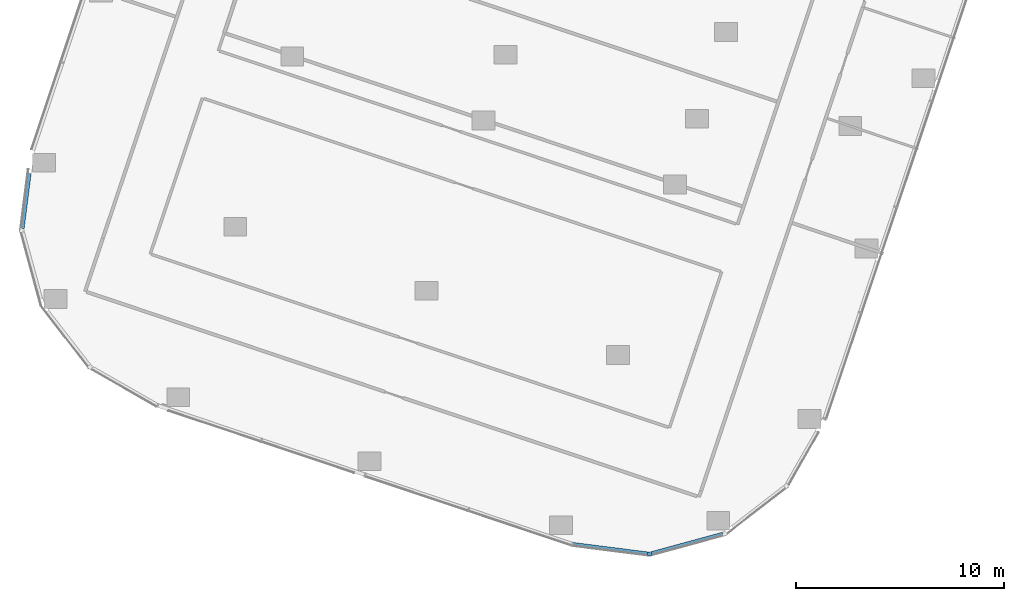
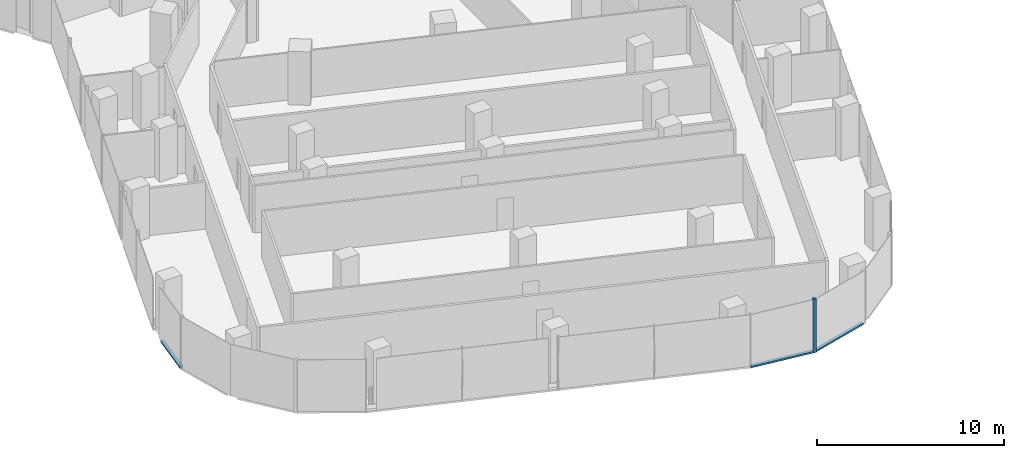
# One storey, part 3 of 32: 4 members, 3 elements without a shape of their own.
"""IFC4 building model written with IfcOpenShell, lengths in metres."""

from ifc_helpers import new_model, si_unit, direction, frame, origin, origin_2d, place, context, subcontext, project, spatial, rectangle, extrude, material, material_profile, profile_set, type_object, element, aggregate, save


model = new_model("IFC4")

# Units and contexts
model_context = context("Model", 3, precision=1e-05, world=origin(), true_north=direction((0.0, 1.0)))
body_context = subcontext(model_context, "Body", "Model", "MODEL_VIEW")
ifc_project = project(units=[si_unit("LENGTHUNIT", "METRE"), si_unit("AREAUNIT", "SQUARE_METRE"), si_unit("VOLUMEUNIT", "CUBIC_METRE"), si_unit("PLANEANGLEUNIT", "RADIAN"), si_unit("MASSUNIT", "GRAM", prefix="KILO")], contexts=[model_context])

# Site, building, storey
site_placement = place(None, origin())
site = spatial("IfcSite", under=ifc_project, at=site_placement, CompositionType="ELEMENT")
building_placement = place(site_placement, origin())
building = spatial("IfcBuilding", under=site, at=building_placement, Name="Orlundy Tower", CompositionType="ELEMENT")
storey_placement = place(building_placement, frame((0.0, 0.0, 152.60009765625)))
storey = spatial("IfcBuildingStorey", under=building, at=storey_placement, Name="L39", CompositionType="ELEMENT", Elevation=152.60009765625)

# Curtain wall, member
ifc_material_1 = material(Name="Aluminium bronze anodised", Category="aluminium")
curtain_wall_type = type_object("IfcCurtainWallType", Name="CW1 wall", PredefinedType="NOTDEFINED", material=ifc_material_1)
curtain_wall_1_placement = place(storey_placement, origin())
curtain_wall_1 = element("IfcCurtainWall", 1, at=curtain_wall_1_placement, inside=storey, type_object=curtain_wall_type, Name="CW1 run 06", PredefinedType="NOTDEFINED")
ifc_material_2 = material(Name="Aluminium bronze anodised", Category="aluminium")
ifc_material_profile_1 = material_profile(ifc_material_2, rectangle(XDim=0.179931640625, YDim=0.179931640625, at=origin_2d()), Name="CW1 corner post 180x180")
ifc_profile_set_1 = profile_set([ifc_material_profile_1], Name="Aluminium bronze anodised")
member_type_1 = type_object("IfcMemberType", Name="CW1 corner post 180x180", PredefinedType="MULLION", material=ifc_profile_set_1)
member_1_placement = place(storey_placement, frame((-5.238525390625, -60.316650390625, -0.400146484375), z_axis=(0.0, 0.0, 1.0), x_axis=(-0.126259106648, -0.99199729737, 0.0)))
member_1 = element("IfcMember", 2, at=member_1_placement, type_object=member_type_1, Name="CW1 mullion 17", PredefinedType="MULLION", context=body_context, shape_type="SweptSolid", body=[
    extrude(rectangle(XDim=0.179931640625, YDim=0.179931640625, at=origin_2d()), origin(), (0.0, 0.0, 1.0), 3.5),
])

curtain_wall_2_placement = place(storey_placement, origin())
curtain_wall_2 = element("IfcCurtainWall", 3, at=curtain_wall_2_placement, inside=storey, type_object=curtain_wall_type, Name="CW1 run 05", PredefinedType="NOTDEFINED")
ifc_material_3 = material(Name="Aluminium bronze anodised", Category="aluminium")
ifc_material_profile_2 = material_profile(ifc_material_3, rectangle(XDim=0.179931640625, YDim=0.1201171875, at=origin_2d()), Name="CW1 transom 180x120")
ifc_profile_set_2 = profile_set([ifc_material_profile_2], Name="Aluminium bronze anodised")
member_type_2 = type_object("IfcMemberType", Name="CW1 transom 180x120", PredefinedType="USERDEFINED", material=ifc_profile_set_2)
member_2_placement = place(storey_placement, frame((-1.71484375, -59.355712890625, -0.340087890625), z_axis=(-0.964768575613, -0.263099972464, 0.0), x_axis=(0.263099972464, -0.964768575613, 0.0)))
member_2 = element("IfcMember", 4, at=member_2_placement, type_object=member_type_2, Name="CW1 transom", ObjectType="TRANSOM", PredefinedType="USERDEFINED", context=body_context, shape_type="SweptSolid", body=[
    extrude(rectangle(XDim=0.179931640625, YDim=0.1201171875, at=origin_2d()), origin(), (0.0, 0.0, 1.0), 3.554931640625),
])
aggregate(curtain_wall_2, [member_2])

# Member
member_3_placement = place(storey_placement, frame((-5.327880859375, -60.30517578125, -0.340087890625), z_axis=(-0.991999294503, 0.126243414502, 0.0), x_axis=(-0.126243414502, -0.991999294503, 0.0)))
member_3 = element("IfcMember", 5, at=member_3_placement, type_object=member_type_2, Name="CW1 transom", ObjectType="TRANSOM", PredefinedType="USERDEFINED", context=body_context, shape_type="SweptSolid", body=[
    extrude(rectangle(XDim=0.179931640625, YDim=0.1201171875, at=origin_2d()), origin(), (0.0, 0.0, 1.0), 3.618408203125),
])

aggregate(curtain_wall_1, [member_1, member_3])

# Curtain wall, member
curtain_wall_3_placement = place(storey_placement, origin())
curtain_wall_3 = element("IfcCurtainWall", 6, at=curtain_wall_3_placement, inside=storey, type_object=curtain_wall_type, Name="CW1 run 011", PredefinedType="NOTDEFINED")
member_4_placement = place(storey_placement, frame((-35.379150390625, -44.6640625, -0.340087890625), z_axis=(0.125999774366, 0.992030270133, 0.0), x_axis=(-0.992030270133, 0.125999774366, 0.0)))
member_4 = element("IfcMember", 7, at=member_4_placement, type_object=member_type_2, Name="CW1 transom", ObjectType="TRANSOM", PredefinedType="USERDEFINED", context=body_context, shape_type="SweptSolid", body=[
    extrude(rectangle(XDim=0.179931640625, YDim=0.1201171875, at=origin_2d()), origin(), (0.0, 0.0, 1.0), 2.660400390625),
])
aggregate(curtain_wall_3, [member_4])

save(model, "model.ifc")
